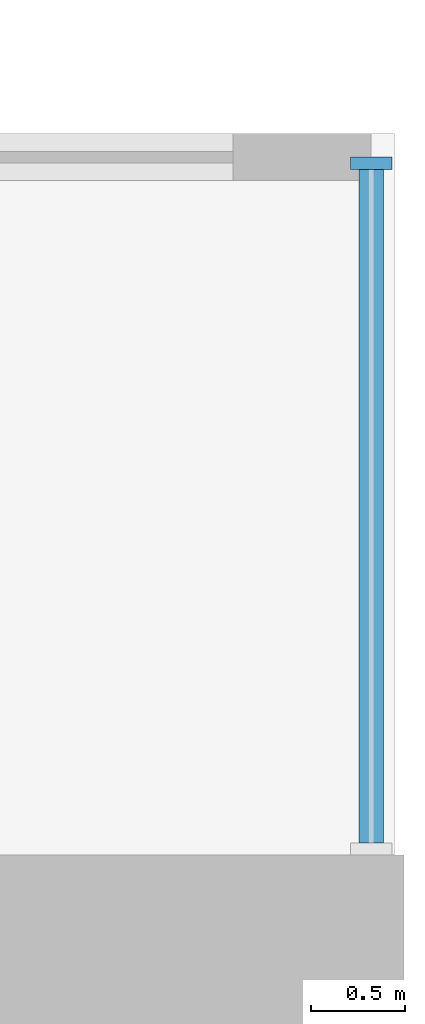
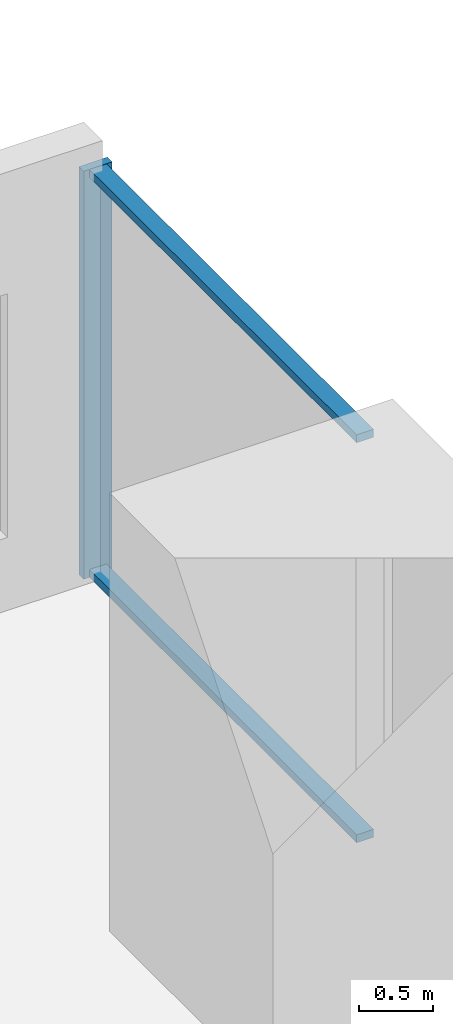
# One storey, part 8 of 15: 3 members, 1 element without a shape of its own.
"""IFC4 building model written with IfcOpenShell, lengths in metres."""

from ifc_helpers import new_model, si_unit, direction, frame, origin, origin_2d, place, context, subcontext, project, spatial, rectangle, extrude, material, layer, layer_set, material_profile, profile_set, type_object, element, aggregate, save


model = new_model("IFC4")

# Units and contexts
model_context = context("Model", 3, precision=1e-05, world=origin(), true_north=direction((0.0, 1.0)))
body_context = subcontext(model_context, "Body", "Model", "MODEL_VIEW")
ifc_project = project(units=[si_unit("LENGTHUNIT", "METRE"), si_unit("AREAUNIT", "SQUARE_METRE"), si_unit("VOLUMEUNIT", "CUBIC_METRE"), si_unit("PLANEANGLEUNIT", "RADIAN"), si_unit("MASSUNIT", "GRAM", prefix="KILO")], contexts=[model_context])

# Site, building, storey
site_placement = place(None, origin())
site = spatial("IfcSite", under=ifc_project, at=site_placement, CompositionType="ELEMENT")
building_placement = place(site_placement, origin())
building = spatial("IfcBuilding", under=site, at=building_placement, Name="Cleftline Residences", CompositionType="ELEMENT")
storey_placement = place(building_placement, frame((0.0, 0.0, 26.0)))
storey = spatial("IfcBuildingStorey", under=building, at=storey_placement, Name="L05", CompositionType="ELEMENT", Elevation=26.0)

# Curtain wall, members
ifc_material_1 = material(Name="Aluminium framed curtain wall", Category="aluminium")
ifc_layer = layer(ifc_material_1, 0.199951171875)
ifc_layer_set = layer_set([ifc_layer], Name="CW4 SKY LOUNGE GLAZING")
curtain_wall_type = type_object("IfcCurtainWallType", Name="CW4 SKY LOUNGE GLAZING", PredefinedType="NOTDEFINED", material=ifc_layer_set)
curtain_wall_placement = place(storey_placement, origin())
curtain_wall = element("IfcCurtainWall", 1, at=curtain_wall_placement, inside=storey, type_object=curtain_wall_type, Name="Curtain wall CW4", PredefinedType="NOTDEFINED")
ifc_material_2 = material(Name="Aluminium mullion", Category="aluminium")
ifc_material_profile_1 = material_profile(ifc_material_2, rectangle(XDim=0.219970703125, YDim=0.06494140625, at=origin_2d()))
ifc_profile_set_1 = profile_set([ifc_material_profile_1], Name="Aluminium mullion")
member_type_1 = type_object("IfcMemberType", Name="CW4 MULLION", PredefinedType="MULLION", material=ifc_profile_set_1)
member_1_placement = place(storey_placement, frame((66.574951171875, 44.79248046875, 0.0), z_axis=(0.0, 0.0, 1.0), x_axis=(-1.0, 0.0, 0.0)))
member_1 = element("IfcMember", 2, at=member_1_placement, type_object=member_type_1, Name="CW4 mullion 2", PredefinedType="MULLION", context=body_context, shape_type="SweptSolid", body=[
    extrude(rectangle(XDim=0.219970703125, YDim=0.06494140625, at=origin_2d()), origin(), (0.0, 0.0, 1.0), 3.35009765625),
])
ifc_material_3 = material(Name="Aluminium transom", Category="aluminium")
ifc_material_profile_2 = material_profile(ifc_material_3, rectangle(XDim=0.132080078125, YDim=0.06494140625, at=origin_2d()))
ifc_profile_set_2 = profile_set([ifc_material_profile_2], Name="Aluminium transom")
member_type_2 = type_object("IfcMemberType", Name="CW4 TRANSOM", PredefinedType="USERDEFINED", material=ifc_profile_set_2)
member_2_placement = place(storey_placement, frame((66.574951171875, 41.1650390625, 0.032470703125), z_axis=(0.0, 1.0, 0.0), x_axis=(-1.0, 0.0, 0.0)))
member_2 = element("IfcMember", 3, at=member_2_placement, type_object=member_type_2, Name="CW4 transom 1.1", ObjectType="TRANSOM", PredefinedType="USERDEFINED", context=body_context, shape_type="SweptSolid", body=[
    extrude(rectangle(XDim=0.132080078125, YDim=0.06494140625, at=origin_2d()), origin(), (0.0, 0.0, 1.0), 3.594970703125),
])
member_3_placement = place(storey_placement, frame((66.574951171875, 41.1650390625, 3.3173828125), z_axis=(0.0, 1.0, 0.0), x_axis=(-1.0, 0.0, 0.0)))
member_3 = element("IfcMember", 4, at=member_3_placement, type_object=member_type_2, Name="CW4 transom 1.2", ObjectType="TRANSOM", PredefinedType="USERDEFINED", context=body_context, shape_type="SweptSolid", body=[
    extrude(rectangle(XDim=0.132080078125, YDim=0.06494140625, at=origin_2d()), origin(), (0.0, 0.0, 1.0), 3.594970703125),
])
aggregate(curtain_wall, [member_1, member_2, member_3])

save(model, "model.ifc")
